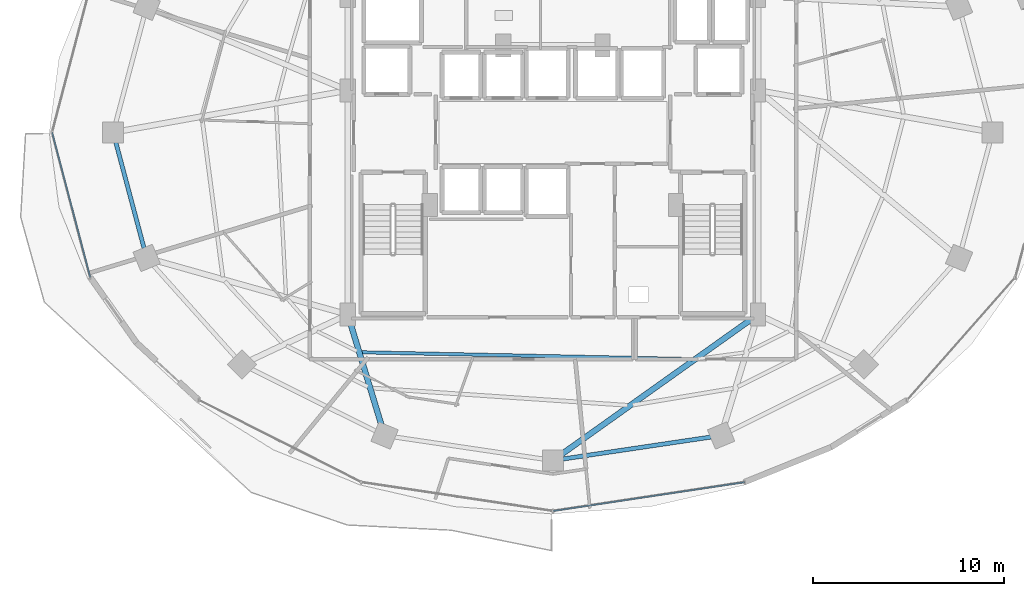
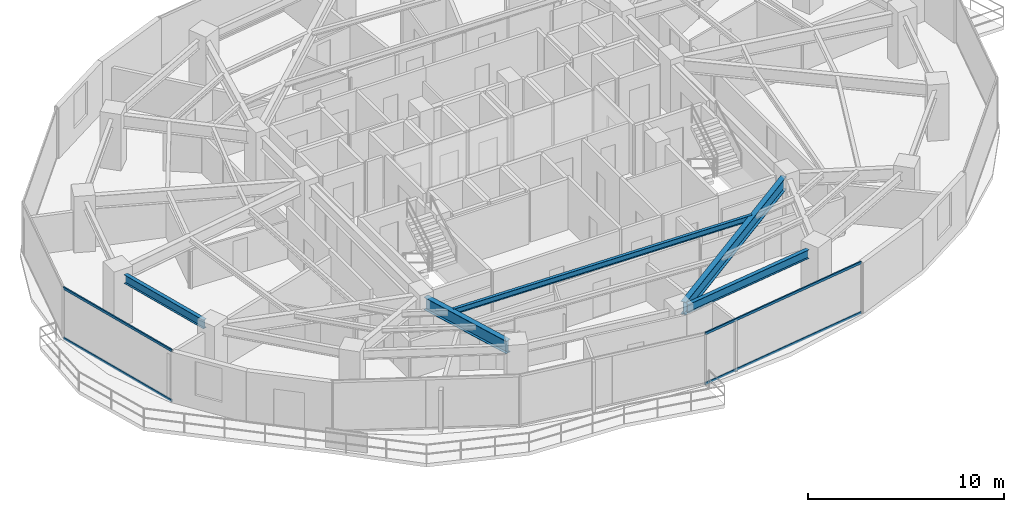
# One storey, part 6 of 29: 5 beams, 4 members, 2 elements without a shape of their own.
"""IFC4 building model written with IfcOpenShell, lengths in metres."""

from ifc_helpers import new_model, si_unit, direction, frame, origin, origin_2d, place, context, subcontext, project, spatial, hollow_rectangle, i_section, extrude, material, material_profile, profile_set, type_object, element, aggregate, save


model = new_model("IFC4")

# Units and contexts
model_context = context("Model", 3, precision=1e-05, world=origin(), true_north=direction((0.0, 1.0)))
body_context = subcontext(model_context, "Body", "Model", "MODEL_VIEW")
ifc_project = project(units=[si_unit("LENGTHUNIT", "METRE"), si_unit("AREAUNIT", "SQUARE_METRE"), si_unit("VOLUMEUNIT", "CUBIC_METRE"), si_unit("PLANEANGLEUNIT", "RADIAN"), si_unit("MASSUNIT", "GRAM", prefix="KILO")], contexts=[model_context])

# Site, building, storey
site_placement = place(None, origin())
site = spatial("IfcSite", under=ifc_project, at=site_placement, CompositionType="ELEMENT")
building_placement = place(site_placement, origin())
building = spatial("IfcBuilding", under=site, at=building_placement, Name="Vorneva Point Tower", CompositionType="ELEMENT")
storey_placement = place(building_placement, frame((0.0, 0.0, 120.800048828125)))
storey = spatial("IfcBuildingStorey", under=building, at=storey_placement, Name="L32", CompositionType="ELEMENT", Elevation=120.800048828125)

# Beams
ifc_material_1 = material(Name="Steel S355", Category="steel")
ifc_material_profile_1 = material_profile(ifc_material_1, i_section(OverallWidth=0.300048828125, OverallDepth=0.7880859375, WebThickness=0.014404296875, FlangeThickness=0.02197265625, at=origin_2d()), Name="80Sh1")
ifc_profile_set_1 = profile_set([ifc_material_profile_1], Name="Steel S355")
beam_type_1 = type_object("IfcBeamType", Name="BM-GRD-80Sh1", PredefinedType="USERDEFINED", material=ifc_profile_set_1)
beam_1_placement = place(storey_placement, frame((29.0224609375, 10.6240234375, 2.755859375), z_axis=(-0.291034888253, 0.956712440506, 0.0), x_axis=(-0.956712440506, -0.291034888253, 0.0)))
element("IfcBeam", 1, at=beam_1_placement, inside=storey, type_object=beam_type_1, Name="L32 Radial Primary Girder 12", ObjectType="GIRDER", PredefinedType="USERDEFINED", context=body_context, shape_type="SweptSolid", body=[
    extrude(i_section(OverallWidth=0.300048828125, OverallDepth=0.7880859375, WebThickness=0.014404296875, FlangeThickness=0.02197265625, at=origin_2d()), origin(), (0.0, 0.0, 1.0), 5.74951171875),
])
beam_2_placement = place(storey_placement, frame((38.438232421875, 9.11181640625, 2.755859375), z_axis=(0.814750142675, 0.5798122153, 0.0), x_axis=(-0.5798122153, 0.814750142675, 0.0)))
element("IfcBeam", 2, at=beam_2_placement, inside=storey, type_object=beam_type_1, Name="L32 Radial Primary Girder 13", ObjectType="GIRDER", PredefinedType="USERDEFINED", context=body_context, shape_type="SweptSolid", body=[
    extrude(i_section(OverallWidth=0.300048828125, OverallDepth=0.7880859375, WebThickness=0.014404296875, FlangeThickness=0.02197265625, at=origin_2d()), origin(), (0.0, 0.0, 1.0), 12.316162109375),
])
ifc_material_profile_2 = material_profile(ifc_material_1, i_section(OverallWidth=0.174072265625, OverallDepth=0.345947265625, WebThickness=0.006103515625, FlangeThickness=0.009033203125, at=origin_2d()), Name="35B1")
ifc_profile_set_2 = profile_set([ifc_material_profile_2], Name="Steel S355")
beam_type_2 = type_object("IfcBeamType", Name="BM-SEC-35B1", PredefinedType="BEAM", material=ifc_profile_set_2)
beam_3_placement = place(storey_placement, frame((27.989013671875, 14.4716796875, 2.97705078125), z_axis=(0.99978665184, -0.020655527177, 0.0), x_axis=(0.020655527177, 0.99978665184, 0.0)))
element("IfcBeam", 3, at=beam_3_placement, inside=storey, type_object=beam_type_2, Name="L32 Secondary Floor Beam 2.12", PredefinedType="BEAM", context=body_context, shape_type="SweptSolid", body=[
    extrude(i_section(OverallWidth=0.174072265625, OverallDepth=0.345947265625, WebThickness=0.006103515625, FlangeThickness=0.009033203125, at=origin_2d()), origin(), (0.0, 0.0, 1.0), 17.33935546875),
])
ifc_material_profile_3 = material_profile(ifc_material_1, i_section(OverallWidth=0.219970703125, OverallDepth=0.54296875, WebThickness=0.009521484375, FlangeThickness=0.013427734375, at=origin_2d()), Name="55B1")
ifc_profile_set_3 = profile_set([ifc_material_profile_3], Name="Steel S355")
beam_type_3 = type_object("IfcBeamType", Name="BM-SPN-55B1", PredefinedType="SPANDREL", material=ifc_profile_set_3)
beam_4_placement = place(storey_placement, frame((15.087890625, 25.483154296875, 2.87841796875), z_axis=(0.257572674071, -0.966258928845, 0.0), x_axis=(0.966258928845, 0.257572674071, 0.0)))
element("IfcBeam", 4, at=beam_4_placement, inside=storey, type_object=beam_type_3, Name="L32 Perimeter Spandrel Ring Beam 09", PredefinedType="SPANDREL", context=body_context, shape_type="SweptSolid", body=[
    extrude(i_section(OverallWidth=0.219970703125, OverallDepth=0.54296875, WebThickness=0.009521484375, FlangeThickness=0.013427734375, at=origin_2d()), origin(), (0.0, 0.0, 1.0), 5.7421875),
])
beam_5_placement = place(storey_placement, frame((38.529296875, 8.878662109375, 2.87841796875), z_axis=(0.989164507783, 0.146811363806, 0.0), x_axis=(-0.146811363806, 0.989164507783, 0.0)))
element("IfcBeam", 5, at=beam_5_placement, inside=storey, type_object=beam_type_3, Name="L32 Perimeter Spandrel Ring Beam 13", PredefinedType="SPANDREL", context=body_context, shape_type="SweptSolid", body=[
    extrude(i_section(OverallWidth=0.219970703125, OverallDepth=0.54296875, WebThickness=0.009521484375, FlangeThickness=0.013427734375, at=origin_2d()), origin(), (0.0, 0.0, 1.0), 7.847412109375),
])

# Curtain wall, members
ifc_material_2 = material(Name="Pale anodised aluminium", Category="aluminium")
curtain_wall_type = type_object("IfcCurtainWallType", Name="CW-HTL-SYS", PredefinedType="NOTDEFINED", material=ifc_material_2)
curtain_wall_1_placement = place(storey_placement, origin())
curtain_wall_1 = element("IfcCurtainWall", 6, at=curtain_wall_1_placement, inside=storey, type_object=curtain_wall_type, Name="L32 Unitised Curtain Wall CW-L32-R02", PredefinedType="NOTDEFINED")
ifc_material_profile_4 = material_profile(ifc_material_2, hollow_rectangle(XDim=0.074951171875, YDim=0.14990234375, WallThickness=0.00390625, at=origin_2d()), Name="AL-TRN 150x75x4")
ifc_profile_set_4 = profile_set([ifc_material_profile_4], Name="Pale anodised aluminium")
member_type = type_object("IfcMemberType", Name="CW-TRN-150", PredefinedType="USERDEFINED", material=ifc_profile_set_4)
member_1_placement = place(storey_placement, frame((11.75, 26.0, 0.02001953125), z_axis=(0.254409150465, -0.967096677773, 0.0), x_axis=(0.967096677773, 0.254409150465, 0.0)))
member_1 = element("IfcMember", 7, at=member_1_placement, type_object=member_type, Name="CW-L32-R02 Transom 03.1", ObjectType="TRANSOM", PredefinedType="USERDEFINED", context=body_context, shape_type="SweptSolid", body=[
    extrude(hollow_rectangle(XDim=0.074951171875, YDim=0.14990234375, WallThickness=0.00390625, at=origin_2d()), origin(), (0.0, 0.0, 1.0), 7.854736328125),
])
member_2_placement = place(storey_placement, frame((11.75, 26.0, 3.1298828125), z_axis=(0.254409150465, -0.967096677773, 0.0), x_axis=(0.967096677773, 0.254409150465, 0.0)))
member_2 = element("IfcMember", 8, at=member_2_placement, type_object=member_type, Name="CW-L32-R02 Transom 03.2", ObjectType="TRANSOM", PredefinedType="USERDEFINED", context=body_context, shape_type="SweptSolid", body=[
    extrude(hollow_rectangle(XDim=0.074951171875, YDim=0.14990234375, WallThickness=0.00390625, at=origin_2d()), origin(), (0.0, 0.0, 1.0), 7.854736328125),
])
aggregate(curtain_wall_1, [member_1, member_2])

curtain_wall_2_placement = place(storey_placement, origin())
curtain_wall_2 = element("IfcCurtainWall", 9, at=curtain_wall_2_placement, inside=storey, type_object=curtain_wall_type, Name="L32 Unitised Curtain Wall CW-L32-R03", PredefinedType="NOTDEFINED")
member_3_placement = place(storey_placement, frame((38.0, 6.14990234375, 0.02001953125), z_axis=(0.988875982167, 0.148742367512, 0.0), x_axis=(-0.148742367512, 0.988875982167, 0.0)))
member_3 = element("IfcMember", 10, at=member_3_placement, type_object=member_type, Name="CW-L32-R03 Transom 03.1", ObjectType="TRANSOM", PredefinedType="USERDEFINED", context=body_context, shape_type="SweptSolid", body=[
    extrude(hollow_rectangle(XDim=0.074951171875, YDim=0.14990234375, WallThickness=0.00390625, at=origin_2d()), origin(), (0.0, 0.0, 1.0), 10.158447265625),
])
member_4_placement = place(storey_placement, frame((38.0, 6.14990234375, 3.1298828125), z_axis=(0.988875982167, 0.148742367512, 0.0), x_axis=(-0.148742367512, 0.988875982167, 0.0)))
member_4 = element("IfcMember", 11, at=member_4_placement, type_object=member_type, Name="CW-L32-R03 Transom 03.2", ObjectType="TRANSOM", PredefinedType="USERDEFINED", context=body_context, shape_type="SweptSolid", body=[
    extrude(hollow_rectangle(XDim=0.074951171875, YDim=0.14990234375, WallThickness=0.00390625, at=origin_2d()), origin(), (0.0, 0.0, 1.0), 10.158447265625),
])
aggregate(curtain_wall_2, [member_3, member_4])

save(model, "model.ifc")
